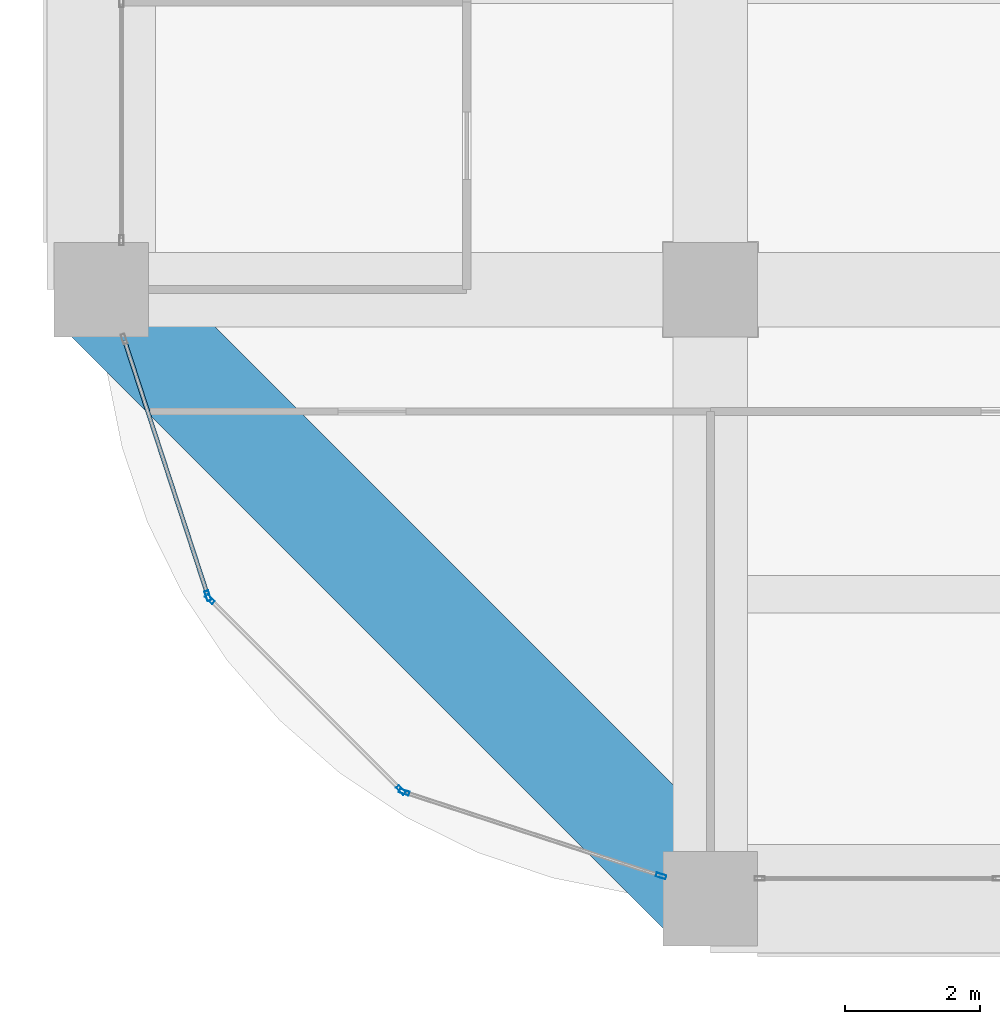
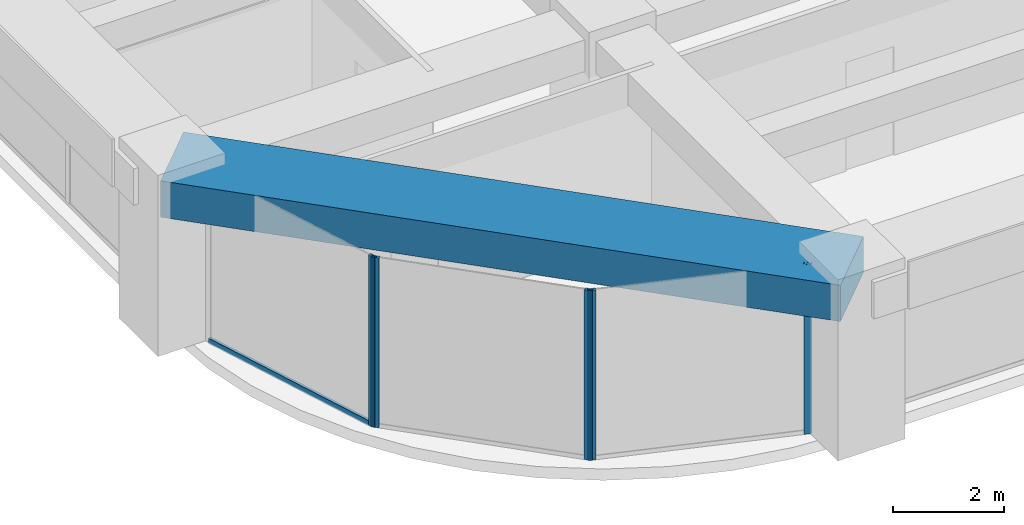
# One storey, part 2 of 35: 6 members, 1 beam, 3 elements without a shape of their own.
"""IFC4 building model written with IfcOpenShell, lengths in metres."""

from ifc_helpers import new_model, si_unit, direction, frame, origin, origin_2d, place, context, subcontext, project, spatial, rectangle, hollow_rectangle, extrude, material, material_profile, profile_set, type_object, element, aggregate, save


model = new_model("IFC4")

# Units and contexts
model_context = context("Model", 3, precision=1e-05, world=origin(), true_north=direction((0.0, 1.0)))
body_context = subcontext(model_context, "Body", "Model", "MODEL_VIEW")
ifc_project = project(units=[si_unit("LENGTHUNIT", "METRE"), si_unit("AREAUNIT", "SQUARE_METRE"), si_unit("VOLUMEUNIT", "CUBIC_METRE"), si_unit("PLANEANGLEUNIT", "RADIAN"), si_unit("MASSUNIT", "GRAM", prefix="KILO")], contexts=[model_context])

# Site, building, storey
site_placement = place(None, origin())
site = spatial("IfcSite", under=ifc_project, at=site_placement, CompositionType="ELEMENT")
building_placement = place(site_placement, origin())
building = spatial("IfcBuilding", under=site, at=building_placement, Name="Zorevar Civic Tower", CompositionType="ELEMENT")
storey_placement = place(building_placement, frame((0.0, 0.0, 218.199951171875)))
storey = spatial("IfcBuildingStorey", under=building, at=storey_placement, Name="L53", CompositionType="ELEMENT", Elevation=218.199951171875)

# Curtain wall, member
ifc_material_1 = material(Name="Dark grey solar-control glass in black aluminium frame", Category="aluminium")
curtain_wall_type = type_object("IfcCurtainWallType", Name="Curtain wall CW4 high zone", PredefinedType="NOTDEFINED", material=ifc_material_1)
curtain_wall_1_placement = place(storey_placement, origin())
curtain_wall_1 = element("IfcCurtainWall", 1, at=curtain_wall_1_placement, inside=storey, type_object=curtain_wall_type, Name="CW4 L53", PredefinedType="NOTDEFINED")
ifc_material_2 = material(Name="Aluminium, black anodised", Category="aluminium")
ifc_material_profile_1 = material_profile(ifc_material_2, hollow_rectangle(XDim=0.06005859375, YDim=0.14990234375, WallThickness=0.00390625, at=origin_2d()), Name="AL 150x60x4")
ifc_profile_set_1 = profile_set([ifc_material_profile_1], Name="Aluminium, black anodised")
member_type_1 = type_object("IfcMemberType", Name="CW4 mullion AL 150x60x4", PredefinedType="MULLION", material=ifc_profile_set_1)
member_1_placement = place(storey_placement, frame((1.57568359375, 4.477783203125, 0.0), z_axis=(0.0, 0.0, 1.0), x_axis=(0.950644749916, 0.310281419775, 0.0)))
member_1 = element("IfcMember", 2, at=member_1_placement, type_object=member_type_1, Name="CW4 mullion 2", PredefinedType="MULLION", context=body_context, shape_type="SweptSolid", body=[
    extrude(hollow_rectangle(XDim=0.06005859375, YDim=0.14990234375, WallThickness=0.00390625, at=origin_2d()), origin(), (0.0, 0.0, 1.0), 3.75),
])

# Curtain wall, members
curtain_wall_2_placement = place(storey_placement, origin())
curtain_wall_2 = element("IfcCurtainWall", 3, at=curtain_wall_2_placement, inside=storey, type_object=curtain_wall_type, Name="CW4 L53", PredefinedType="NOTDEFINED")
member_2_placement = place(storey_placement, frame((1.606201171875, 4.427978515625, 0.0), z_axis=(0.0, 0.0, 1.0), x_axis=(0.707106781187, 0.707106781187, 0.0)))
member_2 = element("IfcMember", 4, at=member_2_placement, type_object=member_type_1, Name="CW4 mullion 1", PredefinedType="MULLION", context=body_context, shape_type="SweptSolid", body=[
    extrude(hollow_rectangle(XDim=0.06005859375, YDim=0.14990234375, WallThickness=0.00390625, at=origin_2d()), origin(), (0.0, 0.0, 1.0), 3.75),
])
member_3_placement = place(storey_placement, frame((4.427978515625, 1.606201171875, 0.0), z_axis=(0.0, 0.0, 1.0), x_axis=(0.707106781187, 0.707106781187, 0.0)))
member_3 = element("IfcMember", 5, at=member_3_placement, type_object=member_type_1, Name="CW4 mullion 2", PredefinedType="MULLION", context=body_context, shape_type="SweptSolid", body=[
    extrude(hollow_rectangle(XDim=0.06005859375, YDim=0.14990234375, WallThickness=0.00390625, at=origin_2d()), origin(), (0.0, 0.0, 1.0), 3.75),
])
aggregate(curtain_wall_2, [member_2, member_3])

curtain_wall_3_placement = place(storey_placement, origin())
curtain_wall_3 = element("IfcCurtainWall", 6, at=curtain_wall_3_placement, inside=storey, type_object=curtain_wall_type, Name="CW4 L53", PredefinedType="NOTDEFINED")
member_4_placement = place(storey_placement, frame((4.477783203125, 1.57568359375, 0.0), z_axis=(0.0, 0.0, 1.0), x_axis=(0.310281419775, 0.950644749916, 0.0)))
member_4 = element("IfcMember", 7, at=member_4_placement, type_object=member_type_1, Name="CW4 mullion 1", PredefinedType="MULLION", context=body_context, shape_type="SweptSolid", body=[
    extrude(hollow_rectangle(XDim=0.06005859375, YDim=0.14990234375, WallThickness=0.00390625, at=origin_2d()), origin(), (0.0, 0.0, 1.0), 3.75),
])
member_5_placement = place(storey_placement, frame((8.271484375, 0.337646484375, 0.0), z_axis=(0.0, 0.0, 1.0), x_axis=(0.310281419775, 0.950644749916, 0.0)))
member_5 = element("IfcMember", 8, at=member_5_placement, type_object=member_type_1, Name="CW4 mullion 2", PredefinedType="MULLION", context=body_context, shape_type="SweptSolid", body=[
    extrude(hollow_rectangle(XDim=0.06005859375, YDim=0.14990234375, WallThickness=0.00390625, at=origin_2d()), origin(), (0.0, 0.0, 1.0), 3.75),
])
aggregate(curtain_wall_3, [member_4, member_5])

# Member
ifc_material_3 = material(Name="Aluminium, black anodised", Category="aluminium")
ifc_material_profile_2 = material_profile(ifc_material_3, hollow_rectangle(XDim=0.06005859375, YDim=0.1201171875, WallThickness=0.0029296875, at=origin_2d()), Name="AL 120x60x3")
ifc_profile_set_2 = profile_set([ifc_material_profile_2], Name="Aluminium, black anodised")
member_type_2 = type_object("IfcMemberType", Name="CW4 transom AL 120x60x3", PredefinedType="USERDEFINED", material=ifc_profile_set_2)
member_6_placement = place(storey_placement, frame((0.346923828125, 8.242919921875, 0.030029296875), z_axis=(0.31025859143, -0.950652200568, 0.0), x_axis=(0.950652200568, 0.31025859143, 0.0)))
member_6 = element("IfcMember", 9, at=member_6_placement, type_object=member_type_2, Name="CW4 sill transom", ObjectType="TRANSOM", PredefinedType="USERDEFINED", context=body_context, shape_type="SweptSolid", body=[
    extrude(hollow_rectangle(XDim=0.06005859375, YDim=0.1201171875, WallThickness=0.0029296875, at=origin_2d()), origin(), (0.0, 0.0, 1.0), 3.930419921875),
])

aggregate(curtain_wall_1, [member_1, member_6])

# Beam
ifc_material_4 = material(Name="Concrete C50/60", Category="concrete")
ifc_material_profile_3 = material_profile(ifc_material_4, rectangle(XDim=1.60009765625, YDim=0.800048828125, at=origin_2d()), Name="RC 1600x800")
ifc_profile_set_3 = profile_set([ifc_material_profile_3], Name="Concrete C50/60")
beam_type = type_object("IfcBeamType", Name="Edge beam RC 1600x800", PredefinedType="SPANDREL", material=ifc_profile_set_3)
beam_placement = place(storey_placement, frame((0.0, 9.0, 3.35009765625), z_axis=(0.707106781187, -0.707106781187, 0.0), x_axis=(0.707106781187, 0.707106781187, 0.0)))
element("IfcBeam", 10, at=beam_placement, inside=storey, type_object=beam_type, Name="Corner edge beam L54", PredefinedType="SPANDREL", context=body_context, shape_type="SweptSolid", body=[
    extrude(rectangle(XDim=1.60009765625, YDim=0.800048828125, at=origin_2d()), origin(), (0.0, 0.0, 1.0), 12.72802734375),
])

save(model, "model.ifc")
